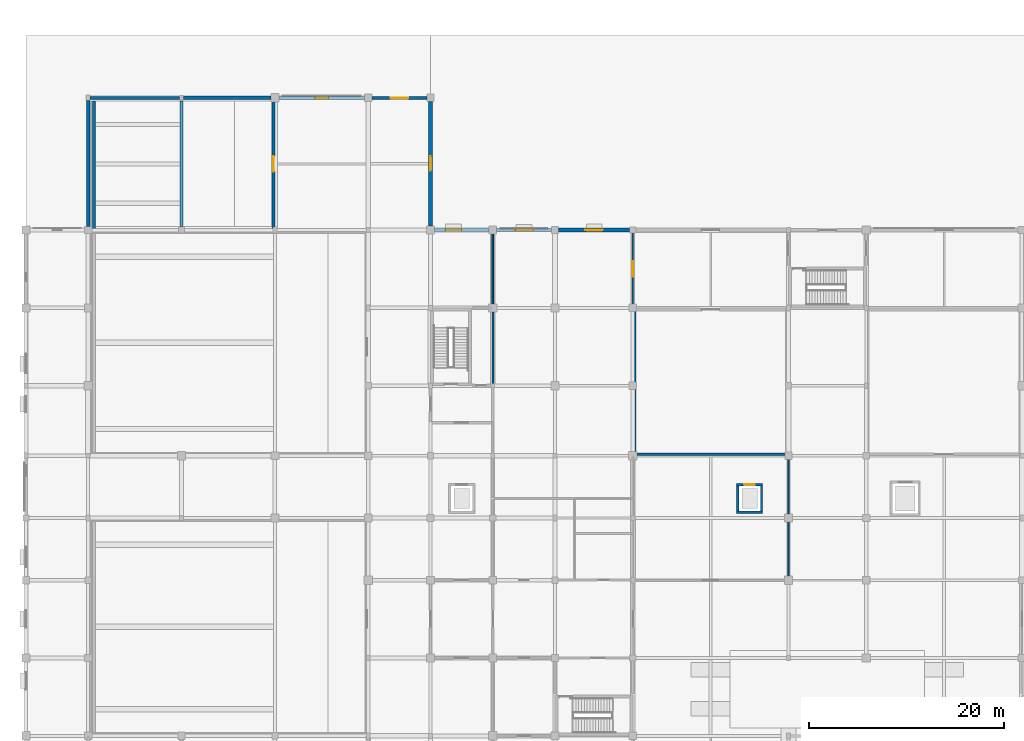
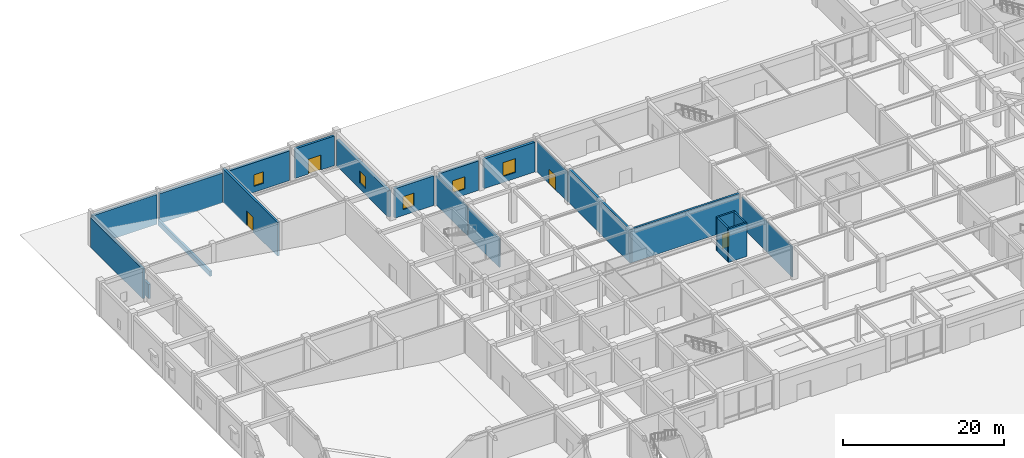
# One storey, part 29 of 40: 22 walls, 5 windows, 4 doors, 9 openings.
"""IFC4 building model written with IfcOpenShell, lengths in metres."""

from ifc_helpers import new_model, si_unit, direction, frame, frame_2d, origin, place, context, subcontext, project, spatial, rectangle, extrude, material, layer, layer_set, type_object, element, fill, save


model = new_model("IFC4")

# Units and contexts
model_context = context("Model", 3, precision=1e-05, world=origin(), true_north=direction((0.0, 1.0)))
body_context = subcontext(model_context, "Body", "Model", "MODEL_VIEW")
ifc_project = project(units=[si_unit("LENGTHUNIT", "METRE"), si_unit("AREAUNIT", "SQUARE_METRE"), si_unit("VOLUMEUNIT", "CUBIC_METRE"), si_unit("PLANEANGLEUNIT", "RADIAN"), si_unit("MASSUNIT", "GRAM", prefix="KILO")], contexts=[model_context])

# Site, building, storey
site_placement = place(None, origin())
site = spatial("IfcSite", under=ifc_project, at=site_placement, CompositionType="ELEMENT")
building_placement = place(site_placement, origin())
building = spatial("IfcBuilding", under=site, at=building_placement, Name="Vellmiral Cinema and Media Centre", CompositionType="ELEMENT")
storey_placement = place(building_placement, origin())
storey = spatial("IfcBuildingStorey", under=building, at=storey_placement, Name="L00", CompositionType="ELEMENT", Elevation=0.0)

# Wall
ifc_material_1 = material(Name="Concrete C40/50", Category="concrete")
ifc_layer_1 = layer(ifc_material_1, 0.2099609375, Name="Concrete C40/50")
ifc_layer_set_1 = layer_set([ifc_layer_1], Name="Concrete C40/50")
wall_type_1 = type_object("IfcWallType", Name="WL-COMP-210", PredefinedType="SOLIDWALL", material=ifc_layer_set_1)
wall_1_placement = place(storey_placement, frame((48.0, 79.340087890625, 0.0), z_axis=(0.0, 0.0, 1.0), x_axis=(0.0, 1.0, 0.0)))
element("IfcWall", 1, at=wall_1_placement, inside=storey, type_object=wall_type_1, Name="North-West Core Smoke Riser Room Wall E", PredefinedType="SOLIDWALL", context=body_context, shape_type="SweptSolid", body=[
    extrude(rectangle(XDim=7.719970703125, YDim=0.2099609375, at=frame_2d((3.85986328125, 0.0))), origin(), (0.0, 0.0, 1.0), 4.324951171875),
])

# Wall, opening, door
ifc_material_2 = material(Name="Concrete C40/50", Category="concrete")
ifc_layer_2 = layer(ifc_material_2, 0.300048828125, Name="Concrete C40/50")
ifc_layer_set_2 = layer_set([ifc_layer_2], Name="Concrete C40/50")
wall_type_2 = type_object("IfcWallType", Name="WL-CORE-300", PredefinedType="SHEAR", material=ifc_layer_set_2)
wall_2_placement = place(storey_placement, frame((25.449951171875, 95.199951171875, 0.0), z_axis=(0.0, 0.0, 1.0), x_axis=(0.0, 1.0, 0.0)))
wall_2 = element("IfcWall", 2, at=wall_2_placement, inside=storey, type_object=wall_type_2, Name="Cinema Screen 4 Acoustic Enclosure Wall L00-E1", PredefinedType="SHEAR", context=body_context, shape_type="SweptSolid", body=[
    extrude(rectangle(XDim=13.60009765625, YDim=0.300048828125, at=frame_2d((6.800048828125, 0.0))), origin(), (0.0, 0.0, 1.0), 5.080078125),
])
opening_1_placement = place(wall_2_placement, frame((6.0, 0.0, 0.0)))
opening_1 = element("IfcOpeningElement", 3, at=opening_1_placement, cuts=wall_2, Name="Opening D-AC2", PredefinedType="OPENING", context=body_context, shape_type="SweptSolid", body=[
    extrude(rectangle(XDim=1.60009765625, YDim=2.25, at=frame_2d((0.800048828125, 1.125))), frame((0.0, 0.162109375, 0.0), z_axis=(0.0, -1.0, 0.0), x_axis=(1.0, 0.0, 0.0)), (0.0, 0.0, 1.0), 0.323974609375),
])
ifc_material_3 = material(Name="Acoustic Cinema Door", Category="steel")
door_type_1 = type_object("IfcDoorType", Name="DR-AC-1600x2250", OperationType="DOUBLE_DOOR_SINGLE_SWING", PredefinedType="DOOR", material=ifc_material_3)
door_1_placement = place(opening_1_placement, frame((1.60009765625, 0.0, 0.0), z_axis=(0.0, 0.0, 1.0), x_axis=(-1.0, 0.0, 0.0)))
door_1 = element("IfcDoor", 4, at=door_1_placement, inside=storey, type_object=door_type_1, Name="Cinema Screen 4 Entrance Door", OperationType="DOUBLE_DOOR_SINGLE_SWING", OverallHeight=2.25, OverallWidth=1.60009765625, PredefinedType="DOOR", context=body_context, shape_type="SweptSolid", body=[
    extrude(rectangle(XDim=1.60009765625, YDim=2.25, at=frame_2d((0.800048828125, 1.125))), frame((0.0, 0.02490234375, 0.0), z_axis=(0.0, -1.0, 0.0), x_axis=(1.0, 0.0, 0.0)), (0.0, 0.0, 1.0), 0.050048828125),
])
fill(opening_1, door_1)

# Walls
wall_3_placement = place(storey_placement, frame((62.699951171875, 72.14990234375, 0.0), z_axis=(0.0, 0.0, 1.0), x_axis=(1.0, 0.0, 0.0)))
element("IfcWall", 5, at=wall_3_placement, inside=storey, type_object=wall_type_2, Name="Broadcast Studio A Acoustic Wall L00-S", PredefinedType="SHEAR", context=body_context, shape_type="SweptSolid", body=[
    extrude(rectangle(XDim=15.400146484375, YDim=0.300048828125, at=frame_2d((7.7001953125, 0.0))), origin(), (0.0, 0.0, 1.0), 5.080078125),
])
wall_4_placement = place(storey_placement, frame((62.550048828125, 72.0, 0.0), z_axis=(0.0, 0.0, 1.0), x_axis=(0.0, 1.0, 0.0)))
element("IfcWall", 6, at=wall_4_placement, inside=storey, type_object=wall_type_2, Name="Broadcast Studio A Acoustic Wall L00-W", PredefinedType="SHEAR", context=body_context, shape_type="SweptSolid", body=[
    extrude(rectangle(XDim=15.199951171875, YDim=0.300048828125, at=frame_2d((7.60009765625, 0.0))), origin(), (0.0, 0.0, 1.0), 5.080078125),
])

# Wall, opening, window
ifc_material_4 = material(Name="Polychrome Glazed Ceramic Cladding", Category="masonry")
ifc_layer_3 = layer(ifc_material_4, 0.320068359375, Name="Polychrome Glazed Ceramic Cladding")
ifc_layer_set_3 = layer_set([ifc_layer_3], Name="Polychrome Glazed Ceramic Cladding")
wall_type_3 = type_object("IfcWallType", Name="WL-EXT-BRICK-320", PredefinedType="SOLIDWALL", material=ifc_layer_set_3)
wall_5_placement = place(storey_placement, frame((54.02490234375, 95.199951171875, 0.0), z_axis=(0.0, 0.0, 1.0), x_axis=(-1.0, 0.0, 0.0)))
wall_5 = element("IfcWall", 7, at=wall_5_placement, inside=storey, type_object=wall_type_3, Name="Exterior Facade Wall L00-060", PredefinedType="SOLIDWALL", context=body_context, shape_type="SweptSolid", body=[
    extrude(rectangle(XDim=5.625, YDim=0.320068359375, at=frame_2d((2.8125, 0.0))), origin(), (0.0, 0.0, 1.0), 4.47998046875),
])
opening_2_placement = place(wall_5_placement, frame((1.91259765625, 0.0, 0.89990234375)))
opening_2 = element("IfcOpeningElement", 8, at=opening_2_placement, cuts=wall_5, Name="Opening WN-04", PredefinedType="OPENING", context=body_context, shape_type="SweptSolid", body=[
    extrude(rectangle(XDim=1.800048828125, YDim=1.85009765625, at=frame_2d((0.89990234375, 0.925048828125))), frame((0.0, 0.171875, 0.0), z_axis=(0.0, -1.0, 0.0), x_axis=(1.0, 0.0, 0.0)), (0.0, 0.0, 1.0), 0.343994140625),
])
ifc_material_5 = material(Name="Thermally Broken Aluminium Triple Glazing", Category="aluminium")
window_type_1 = type_object("IfcWindowType", Name="WN-1800x1850", PartitioningType="DOUBLE_PANEL_VERTICAL", PredefinedType="WINDOW", material=ifc_material_5)
window_1_placement = place(opening_2_placement, origin())
window_1 = element("IfcWindow", 9, at=window_1_placement, inside=storey, type_object=window_type_1, Name="Window L00-060", OverallHeight=1.85009765625, OverallWidth=1.800048828125, PartitioningType="DOUBLE_PANEL_VERTICAL", PredefinedType="WINDOW", context=body_context, shape_type="SweptSolid", body=[
    extrude(rectangle(XDim=1.800048828125, YDim=1.85009765625, at=frame_2d((0.89990234375, 0.925048828125))), frame((0.0, 0.030029296875, 0.0), z_axis=(0.0, -1.0, 0.0), x_axis=(1.0, 0.0, 0.0)), (0.0, 0.0, 1.0), 0.06005859375),
])
fill(opening_2, window_1)

# Wall, opening, door
wall_6_placement = place(storey_placement, frame((41.22509765625, 108.800048828125, 0.0), z_axis=(0.0, 0.0, 1.0), x_axis=(-1.0, 0.0, 0.0)))
wall_6 = element("IfcWall", 10, at=wall_6_placement, inside=storey, type_object=wall_type_3, Name="Exterior Facade Wall L00-063", PredefinedType="SOLIDWALL", context=body_context, shape_type="SweptSolid", body=[
    extrude(rectangle(XDim=5.625, YDim=0.320068359375, at=frame_2d((2.8125, 0.0))), origin(), (0.0, 0.0, 1.0), 4.47998046875),
])
opening_3_placement = place(wall_6_placement, frame((1.925048828125, 0.0, 0.0)))
opening_3 = element("IfcOpeningElement", 11, at=opening_3_placement, cuts=wall_6, Name="Opening DE-03", PredefinedType="OPENING", context=body_context, shape_type="SweptSolid", body=[
    extrude(rectangle(XDim=1.800048828125, YDim=2.25, at=frame_2d((0.89990234375, 1.125))), frame((0.0, 0.171875, 0.0), z_axis=(0.0, -1.0, 0.0), x_axis=(1.0, 0.0, 0.0)), (0.0, 0.0, 1.0), 0.343994140625),
])
ifc_material_6 = material(Name="Thermally Broken Glazed Aluminium and Bronze Door", Category="aluminium")
door_type_2 = type_object("IfcDoorType", Name="DR-EXIT-1800x2250", OperationType="DOUBLE_DOOR_SINGLE_SWING", PredefinedType="DOOR", material=ifc_material_6)
door_2_placement = place(opening_3_placement, frame((1.800048828125, 0.0, 0.0), z_axis=(0.0, 0.0, 1.0), x_axis=(-1.0, 0.0, 0.0)))
door_2 = element("IfcDoor", 12, at=door_2_placement, inside=storey, type_object=door_type_2, Name="West Cinema Concourse North Garden Exit", OperationType="DOUBLE_DOOR_SINGLE_SWING", OverallHeight=2.25, OverallWidth=1.800048828125, PredefinedType="DOOR", context=body_context, shape_type="SweptSolid", body=[
    extrude(rectangle(XDim=1.800048828125, YDim=2.25, at=frame_2d((0.89990234375, 1.125))), frame((0.0, 0.02490234375, 0.0), z_axis=(0.0, -1.0, 0.0), x_axis=(1.0, 0.0, 0.0)), (0.0, 0.0, 1.0), 0.050048828125),
])
fill(opening_3, door_2)

# Wall
wall_7_placement = place(storey_placement, frame((15.800048828125, 108.800048828125, 0.0), z_axis=(0.0, 0.0, 1.0), x_axis=(-1.0, 0.0, 0.0)))
element("IfcWall", 13, at=wall_7_placement, inside=storey, type_object=wall_type_3, Name="Exterior Facade Wall L00-066", PredefinedType="SOLIDWALL", context=body_context, shape_type="SweptSolid", body=[
    extrude(rectangle(XDim=9.199951171875, YDim=0.320068359375, at=frame_2d((4.60009765625, 0.0))), origin(), (0.0, 0.0, 1.0), 4.514892578125),
])

# Wall, opening, window
ifc_material_7 = material(Name="Vosges Red Sandstone Masonry", Category="masonry")
ifc_layer_4 = layer(ifc_material_7, 0.3798828125, Name="Vosges Red Sandstone Masonry")
ifc_layer_set_4 = layer_set([ifc_layer_4], Name="Vosges Red Sandstone Masonry")
wall_type_4 = type_object("IfcWallType", Name="WL-EXT-SAND-380", PredefinedType="SOLIDWALL", material=ifc_layer_set_4)
wall_8_placement = place(storey_placement, frame((62.074951171875, 95.199951171875, 0.0), z_axis=(0.0, 0.0, 1.0), x_axis=(-1.0, 0.0, 0.0)))
wall_8 = element("IfcWall", 14, at=wall_8_placement, inside=storey, type_object=wall_type_4, Name="Exterior Facade Wall L00-059", PredefinedType="SOLIDWALL", context=body_context, shape_type="SweptSolid", body=[
    extrude(rectangle(XDim=7.300048828125, YDim=0.3798828125, at=frame_2d((3.64990234375, 0.0))), origin(), (0.0, 0.0, 1.0), 4.47998046875),
])
opening_4_placement = place(wall_8_placement, frame((2.75, 0.0, 0.89990234375)))
opening_4 = element("IfcOpeningElement", 15, at=opening_4_placement, cuts=wall_8, Name="Opening WN-03", PredefinedType="OPENING", context=body_context, shape_type="SweptSolid", body=[
    extrude(rectangle(XDim=1.800048828125, YDim=2.10009765625, at=frame_2d((0.89990234375, 1.050048828125))), frame((0.0, 0.201904296875, 0.0), z_axis=(0.0, -1.0, 0.0), x_axis=(1.0, 0.0, 0.0)), (0.0, 0.0, 1.0), 0.40380859375),
])
ifc_material_8 = material(Name="Thermally Broken Aluminium Triple Glazing", Category="aluminium")
window_type_2 = type_object("IfcWindowType", Name="WN-1800x2100", PartitioningType="DOUBLE_PANEL_VERTICAL", PredefinedType="WINDOW", material=ifc_material_8)
window_2_placement = place(opening_4_placement, origin())
window_2 = element("IfcWindow", 16, at=window_2_placement, inside=storey, type_object=window_type_2, Name="Window L00-059", OverallHeight=2.10009765625, OverallWidth=1.800048828125, PartitioningType="DOUBLE_PANEL_VERTICAL", PredefinedType="WINDOW", context=body_context, shape_type="SweptSolid", body=[
    extrude(rectangle(XDim=1.800048828125, YDim=2.10009765625, at=frame_2d((0.89990234375, 1.050048828125))), frame((0.0, 0.030029296875, 0.0), z_axis=(0.0, -1.0, 0.0), x_axis=(1.0, 0.0, 0.0)), (0.0, 0.0, 1.0), 0.06005859375),
])
fill(opening_4, window_2)

wall_9_placement = place(storey_placement, frame((47.60009765625, 95.199951171875, 0.0), z_axis=(0.0, 0.0, 1.0), x_axis=(-1.0, 0.0, 0.0)))
wall_9 = element("IfcWall", 17, at=wall_9_placement, inside=storey, type_object=wall_type_4, Name="Exterior Facade Wall L00-061", PredefinedType="SOLIDWALL", context=body_context, shape_type="SweptSolid", body=[
    extrude(rectangle(XDim=5.5751953125, YDim=0.3798828125, at=frame_2d((2.78759765625, 0.0))), origin(), (0.0, 0.0, 1.0), 4.47998046875),
])
opening_5_placement = place(wall_9_placement, frame((2.83740234375, 0.0, 0.89990234375)))
opening_5 = element("IfcOpeningElement", 18, at=opening_5_placement, cuts=wall_9, Name="Opening WN-05", PredefinedType="OPENING", context=body_context, shape_type="SweptSolid", body=[
    extrude(rectangle(XDim=1.60009765625, YDim=1.949951171875, at=frame_2d((0.800048828125, 0.97509765625))), frame((0.0, 0.201904296875, 0.0), z_axis=(0.0, -1.0, 0.0), x_axis=(1.0, 0.0, 0.0)), (0.0, 0.0, 1.0), 0.40380859375),
])
ifc_material_9 = material(Name="Thermally Broken Aluminium Triple Glazing", Category="aluminium")
window_type_3 = type_object("IfcWindowType", Name="WN-1600x1950", PartitioningType="DOUBLE_PANEL_VERTICAL", PredefinedType="WINDOW", material=ifc_material_9)
window_3_placement = place(opening_5_placement, origin())
window_3 = element("IfcWindow", 19, at=window_3_placement, inside=storey, type_object=window_type_3, Name="Window L00-061", OverallHeight=1.949951171875, OverallWidth=1.60009765625, PartitioningType="DOUBLE_PANEL_VERTICAL", PredefinedType="WINDOW", context=body_context, shape_type="SweptSolid", body=[
    extrude(rectangle(XDim=1.60009765625, YDim=1.949951171875, at=frame_2d((0.800048828125, 0.97509765625))), frame((0.0, 0.030029296875, 0.0), z_axis=(0.0, -1.0, 0.0), x_axis=(1.0, 0.0, 0.0)), (0.0, 0.0, 1.0), 0.06005859375),
])
fill(opening_5, window_3)

wall_10_placement = place(storey_placement, frame((41.60009765625, 95.625, 0.0), z_axis=(0.0, 0.0, 1.0), x_axis=(0.0, 1.0, 0.0)))
wall_10 = element("IfcWall", 20, at=wall_10_placement, inside=storey, type_object=wall_type_4, Name="Exterior Facade Wall L00-062", PredefinedType="SOLIDWALL", context=body_context, shape_type="SweptSolid", body=[
    extrude(rectangle(XDim=12.800048828125, YDim=0.3798828125, at=frame_2d((6.39990234375, 0.0))), origin(), (0.0, 0.0, 1.0), 4.014892578125),
])
opening_6_placement = place(wall_10_placement, frame((5.64990234375, 0.0, 0.89990234375)))
opening_6 = element("IfcOpeningElement", 21, at=opening_6_placement, cuts=wall_10, Name="Opening WN-06", PredefinedType="OPENING", context=body_context, shape_type="SweptSolid", body=[
    extrude(rectangle(XDim=1.5, YDim=1.85009765625, at=frame_2d((0.75, 0.925048828125))), frame((0.0, 0.201904296875, 0.0), z_axis=(0.0, -1.0, 0.0), x_axis=(1.0, 0.0, 0.0)), (0.0, 0.0, 1.0), 0.40380859375),
])
ifc_material_10 = material(Name="Thermally Broken Aluminium Triple Glazing", Category="aluminium")
window_type_4 = type_object("IfcWindowType", Name="WN-1500x1850", PartitioningType="SINGLE_PANEL", PredefinedType="WINDOW", material=ifc_material_10)
window_4_placement = place(opening_6_placement, origin())
window_4 = element("IfcWindow", 22, at=window_4_placement, inside=storey, type_object=window_type_4, Name="Window L00-062", OverallHeight=1.85009765625, OverallWidth=1.5, PartitioningType="SINGLE_PANEL", PredefinedType="WINDOW", context=body_context, shape_type="SweptSolid", body=[
    extrude(rectangle(XDim=1.5, YDim=1.85009765625, at=frame_2d((0.75, 0.925048828125))), frame((0.0, 0.030029296875, 0.0), z_axis=(0.0, -1.0, 0.0), x_axis=(1.0, 0.0, 0.0)), (0.0, 0.0, 1.0), 0.06005859375),
])
fill(opening_6, window_4)

wall_11_placement = place(storey_placement, frame((34.800048828125, 108.800048828125, 0.0), z_axis=(0.0, 0.0, 1.0), x_axis=(-1.0, 0.0, 0.0)))
wall_11 = element("IfcWall", 23, at=wall_11_placement, inside=storey, type_object=wall_type_4, Name="Exterior Facade Wall L00-064", PredefinedType="SOLIDWALL", context=body_context, shape_type="SweptSolid", body=[
    extrude(rectangle(XDim=8.775146484375, YDim=0.3798828125, at=frame_2d((4.3876953125, 0.0))), origin(), (0.0, 0.0, 1.0), 4.47998046875),
])
opening_7_placement = place(wall_11_placement, frame((3.71240234375, 0.0, 0.89990234375)))
opening_7 = element("IfcOpeningElement", 24, at=opening_7_placement, cuts=wall_11, Name="Opening WN-08", PredefinedType="OPENING", context=body_context, shape_type="SweptSolid", body=[
    extrude(rectangle(XDim=1.35009765625, YDim=1.75, at=frame_2d((0.675048828125, 0.875))), frame((0.0, 0.201904296875, 0.0), z_axis=(0.0, -1.0, 0.0), x_axis=(1.0, 0.0, 0.0)), (0.0, 0.0, 1.0), 0.40380859375),
])
ifc_material_11 = material(Name="Thermally Broken Aluminium Triple Glazing", Category="aluminium")
window_type_5 = type_object("IfcWindowType", Name="WN-1350x1750", PartitioningType="SINGLE_PANEL", PredefinedType="WINDOW", material=ifc_material_11)
window_5_placement = place(opening_7_placement, origin())
window_5 = element("IfcWindow", 25, at=window_5_placement, inside=storey, type_object=window_type_5, Name="Window L00-064", OverallHeight=1.75, OverallWidth=1.35009765625, PartitioningType="SINGLE_PANEL", PredefinedType="WINDOW", context=body_context, shape_type="SweptSolid", body=[
    extrude(rectangle(XDim=1.35009765625, YDim=1.75, at=frame_2d((0.675048828125, 0.875))), frame((0.0, 0.030029296875, 0.0), z_axis=(0.0, -1.0, 0.0), x_axis=(1.0, 0.0, 0.0)), (0.0, 0.0, 1.0), 0.06005859375),
])
fill(opening_7, window_5)

# Walls
wall_12_placement = place(storey_placement, frame((25.175048828125, 108.800048828125, 0.0), z_axis=(0.0, 0.0, 1.0), x_axis=(-1.0, 0.0, 0.0)))
element("IfcWall", 26, at=wall_12_placement, inside=storey, type_object=wall_type_4, Name="Exterior Facade Wall L00-065", PredefinedType="SOLIDWALL", context=body_context, shape_type="SweptSolid", body=[
    extrude(rectangle(XDim=8.97509765625, YDim=0.3798828125, at=frame_2d((4.487548828125, 0.0))), origin(), (0.0, 0.0, 1.0), 4.4951171875),
])
wall_13_placement = place(storey_placement, frame((6.39990234375, 108.5, 0.0), z_axis=(0.0, 0.0, 1.0), x_axis=(0.0, -1.0, 0.0)))
element("IfcWall", 27, at=wall_13_placement, inside=storey, type_object=wall_type_4, Name="Exterior Facade Wall L00-067", PredefinedType="SOLIDWALL", context=body_context, shape_type="SweptSolid", body=[
    extrude(rectangle(XDim=12.925048828125, YDim=0.3798828125, at=frame_2d((6.46240234375, 0.0))), origin(), (0.0, 0.0, 1.0), 4.47509765625),
])

# Wall, opening, door
ifc_material_12 = material(Name="Gypsum Plasterboard")
ifc_layer_5 = layer(ifc_material_12, 0.02490234375, Name="Gypsum Plasterboard", Category="gypsum")
ifc_material_13 = material(Name="Mineral Wool Acoustic Insulation", Category="insulation")
ifc_layer_6 = layer(ifc_material_13, 0.080078125, Name="Mineral Wool Acoustic Insulation", Category="insulation")
ifc_layer_7 = layer(ifc_material_12, 0.02490234375, Name="Gypsum Plasterboard", Category="gypsum")
ifc_layer_set_5 = layer_set([ifc_layer_5, ifc_layer_6, ifc_layer_7], Name="Gypsum Plasterboard")
wall_type_5 = type_object("IfcWallType", Name="WL-PART-130", PredefinedType="PARTITIONING", material=ifc_layer_set_5)
wall_14_placement = place(storey_placement, frame((62.39990234375, 87.340087890625, 0.0), z_axis=(0.0, 0.0, 1.0), x_axis=(0.0, 1.0, 0.0)))
wall_14 = element("IfcWall", 28, at=wall_14_placement, inside=storey, type_object=wall_type_5, Name="Media Library Lower Reading Hall Wall E", PredefinedType="PARTITIONING", context=body_context, shape_type="SweptSolid", body=[
    extrude(rectangle(XDim=7.655029296875, YDim=0.1298828125, at=frame_2d((3.82763671875, 0.0))), origin(), (0.0, 0.0, 1.0), 4.574951171875),
])
opening_8_placement = place(wall_14_placement, frame((3.06005859375, 0.0, 0.0)))
opening_8 = element("IfcOpeningElement", 29, at=opening_8_placement, cuts=wall_14, Name="Opening D-I02", PredefinedType="OPENING", context=body_context, shape_type="SweptSolid", body=[
    extrude(rectangle(XDim=1.60009765625, YDim=2.199951171875, at=frame_2d((0.800048828125, 1.10009765625))), frame((0.0, 0.076904296875, 0.0), z_axis=(0.0, -1.0, 0.0), x_axis=(1.0, 0.0, 0.0)), (0.0, 0.0, 1.0), 0.15380859375),
])
ifc_material_14 = material(Name="Laminated Timber and Glass Door", Category="wood")
door_type_3 = type_object("IfcDoorType", Name="DR-INT-1600x2200", OperationType="DOUBLE_DOOR_SINGLE_SWING", PredefinedType="DOOR", material=ifc_material_14)
door_3_placement = place(opening_8_placement, origin())
door_3 = element("IfcDoor", 30, at=door_3_placement, inside=storey, type_object=door_type_3, Name="Media Library Lower Reading Hall Door", OperationType="DOUBLE_DOOR_SINGLE_SWING", OverallHeight=2.199951171875, OverallWidth=1.60009765625, PredefinedType="DOOR", context=body_context, shape_type="SweptSolid", body=[
    extrude(rectangle(XDim=1.60009765625, YDim=2.199951171875, at=frame_2d((0.800048828125, 1.10009765625))), frame((0.0, 0.02490234375, 0.0), z_axis=(0.0, -1.0, 0.0), x_axis=(1.0, 0.0, 0.0)), (0.0, 0.0, 1.0), 0.050048828125),
])
fill(opening_8, door_3)

# Walls
ifc_material_15 = material(Name="Gypsum Plasterboard")
ifc_layer_8 = layer(ifc_material_15, 0.02490234375, Name="Gypsum Plasterboard", Category="gypsum")
ifc_material_16 = material(Name="Mineral Wool Acoustic Insulation", Category="insulation")
ifc_layer_9 = layer(ifc_material_16, 0.10009765625, Name="Mineral Wool Acoustic Insulation", Category="insulation")
ifc_layer_10 = layer(ifc_material_15, 0.02490234375, Name="Gypsum Plasterboard", Category="gypsum")
ifc_layer_set_6 = layer_set([ifc_layer_8, ifc_layer_9, ifc_layer_10], Name="Gypsum Plasterboard")
wall_type_6 = type_object("IfcWallType", Name="WL-PART-150", PredefinedType="PARTITIONING", material=ifc_layer_set_6)
wall_15_placement = place(storey_placement, frame((78.39990234375, 59.340087890625, 0.0), z_axis=(0.0, 0.0, 1.0), x_axis=(0.0, 1.0, 0.0)))
element("IfcWall", 31, at=wall_15_placement, inside=storey, type_object=wall_type_6, Name="Media Library Reception and Periodicals Wall E", PredefinedType="PARTITIONING", context=body_context, shape_type="SweptSolid", body=[
    extrude(rectangle(XDim=12.52001953125, YDim=0.14990234375, at=frame_2d((6.260009765625, 0.0))), origin(), (0.0, 0.0, 1.0), 4.574951171875),
])
ifc_material_17 = material(Name="Gypsum Plasterboard")
ifc_layer_11 = layer(ifc_material_17, 0.02490234375, Name="Gypsum Plasterboard", Category="gypsum")
ifc_material_18 = material(Name="Mineral Wool Acoustic Insulation", Category="insulation")
ifc_layer_12 = layer(ifc_material_18, 0.1201171875, Name="Mineral Wool Acoustic Insulation", Category="insulation")
ifc_layer_13 = layer(ifc_material_17, 0.02490234375, Name="Gypsum Plasterboard", Category="gypsum")
ifc_layer_set_7 = layer_set([ifc_layer_11, ifc_layer_12, ifc_layer_13], Name="Gypsum Plasterboard")
wall_type_7 = type_object("IfcWallType", Name="WL-PART-170", PredefinedType="PARTITIONING", material=ifc_layer_set_7)
wall_16_placement = place(storey_placement, frame((48.0, 87.199951171875, 0.0), z_axis=(0.0, 0.0, 1.0), x_axis=(0.0, 1.0, 0.0)))
element("IfcWall", 32, at=wall_16_placement, inside=storey, type_object=wall_type_7, Name="Media Library Lower Reading Hall Wall W", PredefinedType="PARTITIONING", context=body_context, shape_type="SweptSolid", body=[
    extrude(rectangle(XDim=7.89501953125, YDim=0.169921875, at=frame_2d((3.947509765625, 0.0))), origin(), (0.0, 0.0, 1.0), 4.375),
])
ifc_material_19 = material(Name="Concrete C40/50", Category="concrete")
ifc_layer_14 = layer(ifc_material_19, 0.300048828125, Name="Concrete C40/50")
ifc_layer_set_8 = layer_set([ifc_layer_14], Name="Concrete C40/50")
wall_type_8 = type_object("IfcWallType", Name="WL-RC-RAKER-300", PredefinedType="SHEAR", material=ifc_layer_set_8)
wall_17_placement = place(storey_placement, frame((16.0, 95.550048828125, 0.0), z_axis=(0.0, 0.0, 1.0), x_axis=(0.0, 1.0, 0.0)))
element("IfcWall", 33, at=wall_17_placement, inside=storey, type_object=wall_type_8, Name="Cinema Screen 4 Raker Front Support Wall", PredefinedType="SHEAR", context=body_context, shape_type="SweptSolid", body=[
    extrude(rectangle(XDim=12.89990234375, YDim=0.300048828125, at=frame_2d((6.449951171875, 0.0))), origin(), (0.0, 0.0, 1.0), 0.7841796875),
])
wall_18_placement = place(storey_placement, frame((7.0, 95.199951171875, 0.0), z_axis=(0.0, 0.0, 1.0), x_axis=(0.0, 1.0, 0.0)))
element("IfcWall", 34, at=wall_18_placement, inside=storey, type_object=wall_type_8, Name="Cinema Screen 4 Raker Rear Support Wall", PredefinedType="SHEAR", context=body_context, shape_type="SweptSolid", body=[
    extrude(rectangle(XDim=13.25, YDim=0.300048828125, at=frame_2d((6.625, 0.0))), origin(), (0.0, 0.0, 1.0), 2.145263671875),
])
ifc_material_20 = material(Name="Concrete C40/50", Category="concrete")
ifc_layer_15 = layer(ifc_material_20, 0.25, Name="Concrete C40/50")
ifc_layer_set_9 = layer_set([ifc_layer_15], Name="Concrete C40/50")
wall_type_9 = type_object("IfcWallType", Name="WL-SHAFT-250", PredefinedType="SHEAR", material=ifc_layer_set_9)
wall_19_placement = place(storey_placement, frame((73.050048828125, 66.175048828125, 0.0), z_axis=(0.0, 0.0, 1.0), x_axis=(1.0, 0.0, 0.0)))
element("IfcWall", 35, at=wall_19_placement, inside=storey, type_object=wall_type_9, Name="Lift Shaft Wall LF-C2 L00-S", PredefinedType="SHEAR", context=body_context, shape_type="SweptSolid", body=[
    extrude(rectangle(XDim=2.699951171875, YDim=0.25, at=frame_2d((1.35009765625, 0.0))), origin(), (0.0, 0.0, 1.0), 5.080078125),
])

# Wall, opening, door
wall_20_placement = place(storey_placement, frame((73.050048828125, 69.02490234375, 0.0), z_axis=(0.0, 0.0, 1.0), x_axis=(1.0, 0.0, 0.0)))
wall_20 = element("IfcWall", 36, at=wall_20_placement, inside=storey, type_object=wall_type_9, Name="Lift Shaft Wall LF-C2 L00-N", PredefinedType="SHEAR", context=body_context, shape_type="SweptSolid", body=[
    extrude(rectangle(XDim=2.699951171875, YDim=0.25, at=frame_2d((1.35009765625, 0.0))), origin(), (0.0, 0.0, 1.0), 5.080078125),
])
opening_9_placement = place(wall_20_placement, frame((0.800048828125, 0.0, 0.0)))
opening_9 = element("IfcOpeningElement", 37, at=opening_9_placement, cuts=wall_20, Name="Opening LD-01", PredefinedType="OPENING", context=body_context, shape_type="SweptSolid", body=[
    extrude(rectangle(XDim=1.10009765625, YDim=2.14990234375, at=frame_2d((0.550048828125, 1.074951171875))), frame((0.0, 0.136962890625, 0.0), z_axis=(0.0, -1.0, 0.0), x_axis=(1.0, 0.0, 0.0)), (0.0, 0.0, 1.0), 0.27392578125),
])
ifc_material_21 = material(Name="Stainless Steel Lift Landing Door", Category="steel")
door_type_4 = type_object("IfcDoorType", Name="DR-LIFT-1100x2150", OperationType="SLIDING_TO_LEFT", PredefinedType="DOOR", material=ifc_material_21)
door_4_placement = place(opening_9_placement, origin())
door_4 = element("IfcDoor", 38, at=door_4_placement, inside=storey, type_object=door_type_4, Name="Lift Landing Door LF-C2 L00", OperationType="SLIDING_TO_LEFT", OverallHeight=2.14990234375, OverallWidth=1.10009765625, PredefinedType="DOOR", context=body_context, shape_type="SweptSolid", body=[
    extrude(rectangle(XDim=1.10009765625, YDim=2.14990234375, at=frame_2d((0.550048828125, 1.074951171875))), frame((0.0, 0.02490234375, 0.0), z_axis=(0.0, -1.0, 0.0), x_axis=(1.0, 0.0, 0.0)), (0.0, 0.0, 1.0), 0.050048828125),
])
fill(opening_9, door_4)

# Walls
for number, where, z_axis, x_axis, name in (
    (39, (73.175048828125, 66.300048828125, 0.0), (0.0, 0.0, 1.0), (0.0, 1.0, 0.0), "Lift Shaft Wall LF-C2 L00-W"),
    (40, (75.625, 66.300048828125, 0.0), (0.0, 0.0, 1.0), (0.0, 1.0, 0.0), "Lift Shaft Wall LF-C2 L00-E"),
):
    element("IfcWall", number, at=place(storey_placement, frame(where, z_axis=z_axis, x_axis=x_axis)), inside=storey, type_object=wall_type_9, Name=name, PredefinedType="SHEAR", context=body_context, shape_type="SweptSolid", body=[
        extrude(rectangle(XDim=2.599853515625, YDim=0.25, at=frame_2d((1.2998046875, 0.0))), origin(), (0.0, 0.0, 1.0), 5.080078125),
    ])

save(model, "model.ifc")
